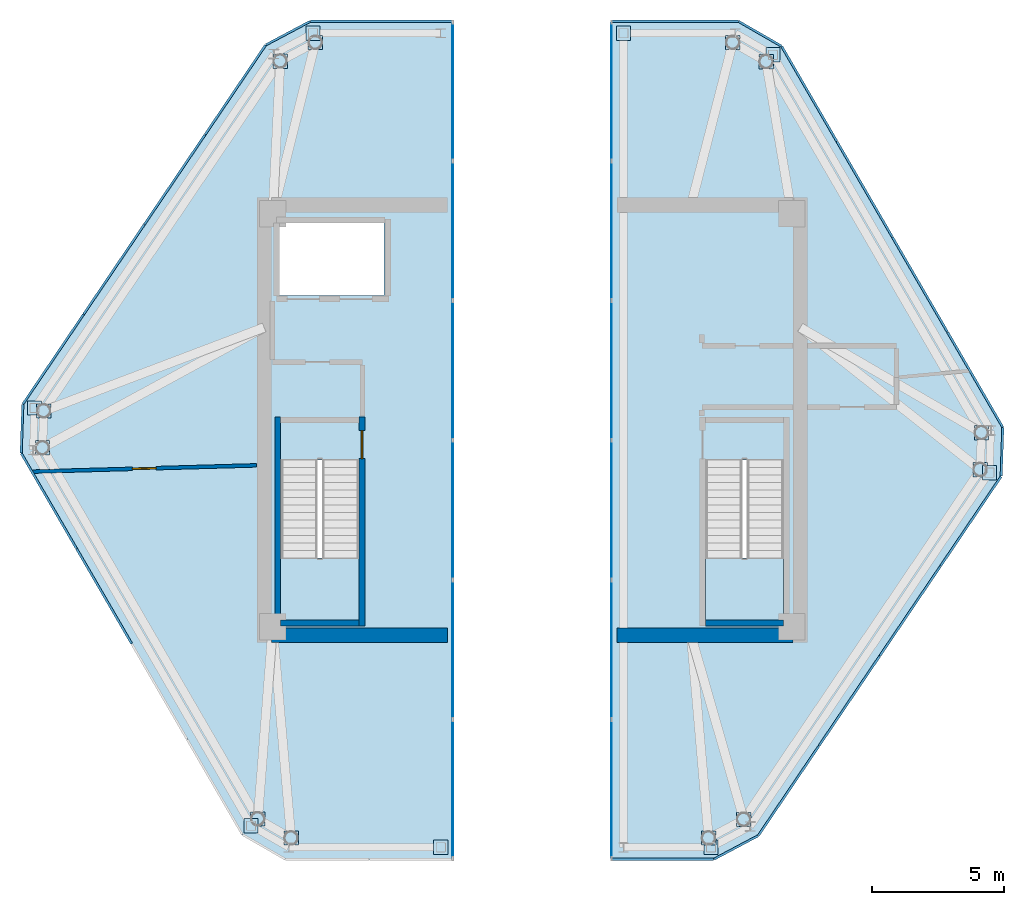
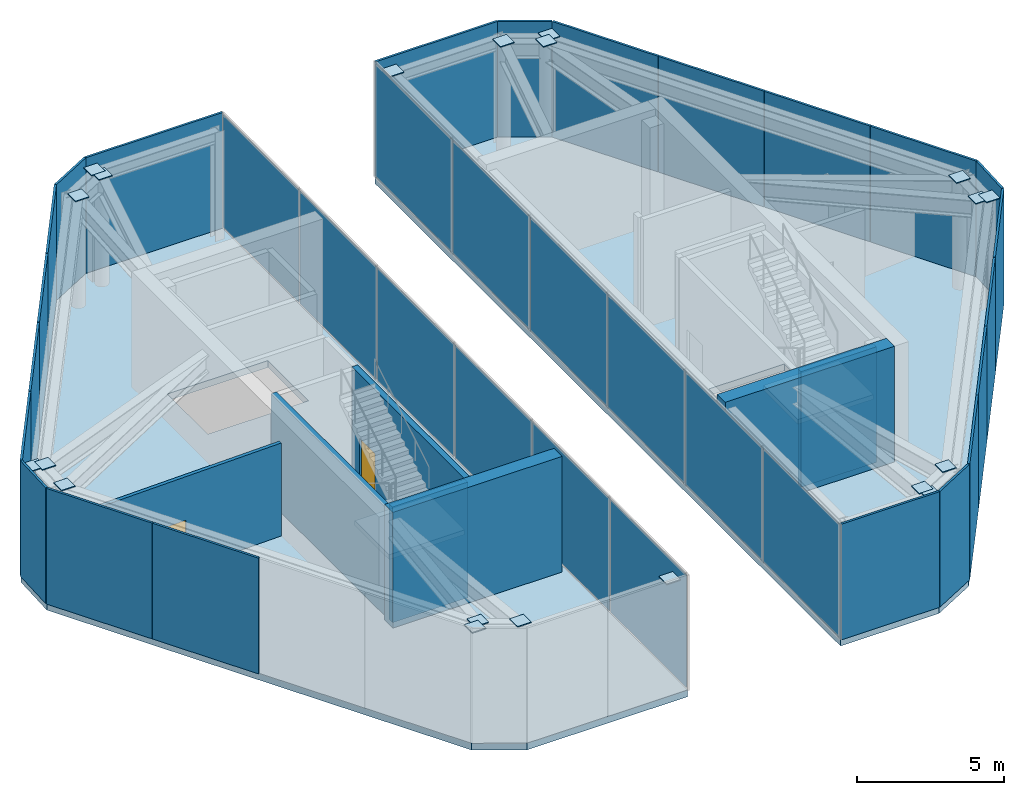
# One storey, part 6 of 8: 54 plates, 7 walls, 4 slabs, 2 doors, 2 openings, 4 elements without a shape of their own.
"""IFC4 building model written with IfcOpenShell, lengths in metres."""

from ifc_helpers import new_model, si_unit, direction, frame, frame_2d, origin, origin_2d, place, context, subcontext, project, spatial, polyline, rectangle, outline, extrude, source, transform, mapped, material, layer, layer_set, type_object, type_shapes, element, fill, aggregate, save


model = new_model("IFC4")

# Units and contexts
model_context = context("Model", 3, precision=1e-05, world=origin(), true_north=direction((0.0, 1.0)))
body_context = subcontext(model_context, "Body", "Model", "MODEL_VIEW")
ifc_project = project(units=[si_unit("LENGTHUNIT", "METRE"), si_unit("AREAUNIT", "SQUARE_METRE"), si_unit("VOLUMEUNIT", "CUBIC_METRE"), si_unit("PLANEANGLEUNIT", "RADIAN"), si_unit("MASSUNIT", "GRAM", prefix="KILO")], contexts=[model_context])

# Site, building, storey
site_placement = place(None, origin())
site = spatial("IfcSite", under=ifc_project, at=site_placement, CompositionType="ELEMENT")
building_placement = place(site_placement, origin())
building = spatial("IfcBuilding", under=site, at=building_placement, Name="Durnholm Broadcast Tower", CompositionType="ELEMENT")
storey_placement = place(building_placement, frame((0.0, 0.0, 277.300048828125)))
storey = spatial("IfcBuildingStorey", under=building, at=storey_placement, Name="L77", CompositionType="ELEMENT", Elevation=277.300048828125)

# Slabs
ifc_material_1 = material(Name="Concrete C50/60", Category="concrete")
ifc_layer_1 = layer(ifc_material_1, 0.280029296875)
ifc_layer_set_1 = layer_set([ifc_layer_1], Name="Concrete C50/60")
slab_type_1 = type_object("IfcSlabType", Name="SLAB-FLR-280", PredefinedType="FLOOR", material=ifc_layer_set_1)
slab_1_placement = place(storey_placement, frame((0.0, 0.0, -0.280029296875)))
element("IfcSlab", 1, at=slab_1_placement, inside=storey, type_object=slab_type_1, Name="L77 west split-crown plant floor slab", PredefinedType="FLOOR", context=body_context, shape_type="SweptSolid", body=[
    extrude(outline(polyline([(-10.946044921875, -15.648193359375), (-9.317626953125, -16.5859375), (-3.0, -16.5859375), (-3.0, 15.06201171875), (-8.386962890625, 15.06201171875), (-10.06591796875, 14.17041015625), (-19.238037109375, 0.603271484375), (-19.3017578125, -1.25048828125), (-10.946044921875, -15.648193359375)]), holes=[polyline([(-9.5, -1.5), (-9.5, -7.550048828125), (-6.5400390625, -7.550048828125), (-6.5400390625, -1.5), (-9.5, -1.5)]), polyline([(-9.550048828125, 7.449951171875), (-9.550048828125, 4.699951171875), (-5.60009765625, 4.699951171875), (-5.60009765625, 7.449951171875), (-9.550048828125, 7.449951171875)])]), origin(), (0.0, 0.0, 1.0), 0.280029296875),
])
slab_2_placement = place(storey_placement, frame((0.0, 0.0, -0.280029296875)))
element("IfcSlab", 2, at=slab_2_placement, inside=storey, type_object=slab_type_1, Name="L77 east split-crown plant floor slab", PredefinedType="FLOOR", context=body_context, shape_type="SweptSolid", body=[
    extrude(outline(polyline([(3.0, 15.06201171875), (3.0, -16.5859375), (6.863037109375, -16.5859375), (8.5419921875, -15.6943359375), (17.714111328125, -2.127197265625), (17.777587890625, -0.273681640625), (9.422119140625, 14.124267578125), (7.793701171875, 15.06201171875), (3.0, 15.06201171875)]), holes=[polyline([(9.5, -1.5), (6.5400390625, -1.5), (6.5400390625, -7.550048828125), (9.5, -7.550048828125), (9.5, -1.5)])]), origin(), (0.0, 0.0, 1.0), 0.280029296875),
])

# Stair, slab
stair_type = type_object("IfcStairType", Name="STAIR-DL-28R1714", PredefinedType="HALF_TURN_STAIR", material=ifc_material_1)
stair_1_placement = place(storey_placement, origin())
stair_1 = element("IfcStair", 3, at=stair_1_placement, inside=storey, type_object=stair_type, Name="L77 ST-1", PredefinedType="HALF_TURN_STAIR")
ifc_layer_2 = layer(ifc_material_1, 0.199951171875)
ifc_layer_set_2 = layer_set([ifc_layer_2], Name="Concrete C50/60")
slab_type_2 = type_object("IfcSlabType", Name="SLAB-LND-200", PredefinedType="LANDING", material=ifc_layer_set_2)
slab_3_placement = place(storey_placement, frame((0.0, 0.0, 2.199951171875)))
slab_3 = element("IfcSlab", 4, at=slab_3_placement, type_object=slab_type_2, Name="ST-1 landing 1", PredefinedType="LANDING", context=body_context, shape_type="SweptSolid", body=[
    extrude(outline(polyline([(-9.5, -5.205078125), (-9.5, -7.550048828125), (-6.5400390625, -7.550048828125), (-6.5400390625, -5.205078125), (-9.5, -5.205078125)])), origin(), (0.0, 0.0, 1.0), 0.199951171875),
])
aggregate(stair_1, [slab_3])

stair_2_placement = place(storey_placement, origin())
stair_2 = element("IfcStair", 5, at=stair_2_placement, inside=storey, type_object=stair_type, Name="L77 ST-2", PredefinedType="HALF_TURN_STAIR")
slab_4_placement = place(storey_placement, frame((0.0, 0.0, 2.199951171875)))
slab_4 = element("IfcSlab", 6, at=slab_4_placement, type_object=slab_type_2, Name="ST-2 landing 1", PredefinedType="LANDING", context=body_context, shape_type="SweptSolid", body=[
    extrude(outline(polyline([(6.5400390625, -5.205078125), (6.5400390625, -7.550048828125), (9.5, -7.550048828125), (9.5, -5.205078125), (6.5400390625, -5.205078125)])), origin(), (0.0, 0.0, 1.0), 0.199951171875),
])
aggregate(stair_2, [slab_4])

# Plates
ifc_material_2 = material(Name="Steel ASTM A572 Grade 50", Category="steel")
ifc_layer_3 = layer(ifc_material_2, 0.0400390625)
ifc_layer_set_3 = layer_set([ifc_layer_3], Name="Steel ASTM A572 Grade 50")
plate_type_1 = type_object("IfcPlateType", Name="PLT-KN-CAP", PredefinedType="USERDEFINED", material=ifc_layer_set_3)
shared_shape_1 = source(origin(), body_context, "Body", "SweptSolid", [
    extrude(rectangle(XDim=0.5400390625, YDim=0.5400390625, at=origin_2d()), origin(), (0.0, 0.0, 1.0), 0.0400390625),
])
type_shapes(plate_type_1, [shared_shape_1])
for number, where, z_axis, x_axis, name in (
    (7, (-10.361328125, -15.061767578125, 4.5), (0.0, 0.0, 1.0), (1.0, 0.0, 0.0), "L77 hollow section end cap plate COL-TUBE-L77-01 2"),
    (8, (-18.494384765625, -1.0478515625, 4.5), (0.0, 0.0, 1.0), (1.0, 0.0, 0.0), "L77 hollow section end cap plate COL-TUBE-L77-02 2"),
    (9, (-18.4462890625, 0.345947265625, 4.5), (0.0, 0.0, 1.0), (1.0, 0.0, 0.0), "L77 hollow section end cap plate COL-TUBE-L77-03 2"),
    (10, (-9.514892578125, 13.557373046875, 4.5), (0.0, 0.0, 1.0), (1.0, 0.0, 0.0), "L77 hollow section end cap plate COL-TUBE-L77-04 2"),
    (11, (-8.187744140625, 14.261962890625, 4.5), (0.0, 0.0, 1.0), (1.0, 0.0, 0.0), "L77 hollow section end cap plate COL-TUBE-L77-05 2"),
    (12, (7.57958984375, 14.261962890625, 4.5), (0.0, 0.0, 1.0), (1.0, 0.0, 0.0), "L77 hollow section end cap plate COL-TUBE-L77-06 2"),
    (13, (8.83740234375, 13.53759765625, 4.5), (0.0, 0.0, 1.0), (1.0, 0.0, 0.0), "L77 hollow section end cap plate COL-TUBE-L77-07 2"),
    (14, (16.97021484375, -0.47607421875, 4.5), (0.0, 0.0, 1.0), (1.0, 0.0, 0.0), "L77 hollow section end cap plate COL-TUBE-L77-08 2"),
    (15, (16.92236328125, -1.869873046875, 4.5), (0.0, 0.0, 1.0), (1.0, 0.0, 0.0), "L77 hollow section end cap plate COL-TUBE-L77-09 2"),
    (16, (7.990966796875, -15.081298828125, 4.5), (0.0, 0.0, 1.0), (1.0, 0.0, 0.0), "L77 hollow section end cap plate COL-TUBE-L77-10 2"),
    (17, (6.663818359375, -15.785888671875, 4.5), (0.0, 0.0, 1.0), (1.0, 0.0, 0.0), "L77 hollow section end cap plate COL-TUBE-L77-11 2"),
    (18, (-9.103759765625, -15.785888671875, 4.5), (0.0, 0.0, 1.0), (1.0, 0.0, 0.0), "L77 hollow section end cap plate COL-TUBE-L77-12 2"),
    (19, (-10.6171875, -15.318359375, 4.5), (0.0, 0.0, 1.0), (1.0, 0.0, 0.0), "L77 hollow section end cap plate CF-POST-L77-W-1 2"),
    (20, (-3.449951171875, -16.135986328125, 4.5), (0.0, 0.0, 1.0), (1.0, 0.0, 0.0), "L77 hollow section end cap plate CF-POST-L77-W-3 2"),
    (21, (-8.27490234375, 14.612060546875, 4.5), (0.0, 0.0, 1.0), (1.0, 0.0, 0.0), "L77 hollow section end cap plate CF-POST-L77-W-5 2"),
    (22, (-18.792724609375, 0.45849609375, 4.5), (0.0, 0.0, 1.0), (1.0, 0.0, 0.0), "L77 hollow section end cap plate CF-POST-L77-W-7 2"),
    (23, (3.449951171875, 14.612060546875, 4.5), (0.0, 0.0, 1.0), (1.0, 0.0, 0.0), "L77 hollow section end cap plate CF-POST-L77-E-1 2"),
    (24, (6.7509765625, -16.135986328125, 4.5), (0.0, 0.0, 1.0), (1.0, 0.0, 0.0), "L77 hollow section end cap plate CF-POST-L77-E-3 2"),
    (25, (17.268798828125, -1.982421875, 4.5), (0.0, 0.0, 1.0), (1.0, 0.0, 0.0), "L77 hollow section end cap plate CF-POST-L77-E-5 2"),
    (26, (9.09326171875, 13.794189453125, 4.5), (0.0, 0.0, 1.0), (1.0, 0.0, 0.0), "L77 hollow section end cap plate CF-POST-L77-E-7 2"),
):
    element("IfcPlate", number, at=place(storey_placement, frame(where, z_axis=z_axis, x_axis=x_axis)), inside=storey, type_object=plate_type_1, Name=name, ObjectType="CAP_PLATE", PredefinedType="USERDEFINED", context=body_context, shape_type="MappedRepresentation", body=[
        mapped(shared_shape_1, transform((0.0, 0.0, 0.0), x_axis=(1.0, 0.0, 0.0), y_axis=(0.0, 1.0, 0.0), z_axis=(0.0, 0.0, 1.0), scale=1.0)),
    ])
ifc_material_3 = material(Name="Anodised Architectural Aluminium Louvre Screen", Category="aluminium")
ifc_layer_4 = layer(ifc_material_3, 0.0849609375)
ifc_layer_set_4 = layer_set([ifc_layer_4], Name="Anodised Architectural Aluminium Louvre Screen")
plate_type_2 = type_object("IfcPlateType", Name="PLT-CROWN-SCR", PredefinedType="USERDEFINED", material=ifc_layer_set_4)
shared_shape_2 = source(origin(), body_context, "Body", "SweptSolid", [
    extrude(rectangle(XDim=1.834716796875, YDim=0.0849609375, at=origin_2d()), origin(), (0.0, 0.0, 1.0), 4.800048828125),
])
for number, where, z_axis, x_axis, name in (
    (27, (-19.27001953125, -0.323486328125, 0.0), (0.0, 0.0, 1.0), (0.034376212129, 0.999408963358, 0.0), "L77 mechanical louvre screen panel SCR-L77-W-1.1"),
    (28, (17.745849609375, -1.200439453125, 0.0), (0.0, 0.0, 1.0), (-0.034376212129, -0.999408963358, 0.0), "L77 mechanical louvre screen panel SCR-L77-E-3.1"),
):
    element("IfcPlate", number, at=place(storey_placement, frame(where, z_axis=z_axis, x_axis=x_axis)), inside=storey, type_object=plate_type_2, Name=name, ObjectType="SCREEN", PredefinedType="USERDEFINED", context=body_context, shape_type="MappedRepresentation", body=[
        mapped(shared_shape_2, transform((0.0, 0.0, 0.0), x_axis=(1.0, 0.0, 0.0), y_axis=(0.0, 1.0, 0.0), z_axis=(0.0, 0.0, 1.0), scale=1.0)),
    ])
shared_shape_3 = source(origin(), body_context, "Body", "SweptSolid", [
    extrude(rectangle(XDim=4.07421875, YDim=0.0849609375, at=origin_2d()), origin(), (0.0, 0.0, 1.0), 4.800048828125),
])
for number, where, z_axis, x_axis, name in (
    (29, (-18.091552734375, 2.29931640625, 0.0), (0.0, 0.0, 1.0), (0.560060762816, 0.828451532652, 0.0), "L77 mechanical louvre screen panel SCR-L77-W-2.1"),
    (30, (-15.798583984375, 5.69091796875, 0.0), (0.0, 0.0, 1.0), (0.560060762816, 0.828451532652, 0.0), "L77 mechanical louvre screen panel SCR-L77-W-2.2"),
    (31, (-13.505615234375, 9.082763671875, 0.0), (0.0, 0.0, 1.0), (0.560060762816, 0.828451532652, 0.0), "L77 mechanical louvre screen panel SCR-L77-W-2.3"),
    (32, (-11.21240234375, 12.474609375, 0.0), (0.0, 0.0, 1.0), (0.560060762816, 0.828451532652, 0.0), "L77 mechanical louvre screen panel SCR-L77-W-2.4"),
    (33, (16.567626953125, -3.8232421875, 0.0), (0.0, 0.0, 1.0), (-0.560060762816, -0.828451532652, 0.0), "L77 mechanical louvre screen panel SCR-L77-E-4.1"),
    (34, (14.274658203125, -7.215087890625, 0.0), (0.0, 0.0, 1.0), (-0.560060762816, -0.828451532652, 0.0), "L77 mechanical louvre screen panel SCR-L77-E-4.2"),
    (35, (11.9814453125, -10.606689453125, 0.0), (0.0, 0.0, 1.0), (-0.560060762816, -0.828451532652, 0.0), "L77 mechanical louvre screen panel SCR-L77-E-4.3"),
    (36, (9.6884765625, -13.99853515625, 0.0), (0.0, 0.0, 1.0), (-0.560060762816, -0.828451532652, 0.0), "L77 mechanical louvre screen panel SCR-L77-E-4.4"),
):
    element("IfcPlate", number, at=place(storey_placement, frame(where, z_axis=z_axis, x_axis=x_axis)), inside=storey, type_object=plate_type_2, Name=name, ObjectType="SCREEN", PredefinedType="USERDEFINED", context=body_context, shape_type="MappedRepresentation", body=[
        mapped(shared_shape_3, transform((0.0, 0.0, 0.0), x_axis=(1.0, 0.0, 0.0), y_axis=(0.0, 1.0, 0.0), z_axis=(0.0, 0.0, 1.0), scale=1.0)),
    ])
shared_shape_4 = source(origin(), body_context, "Body", "SweptSolid", [
    extrude(rectangle(XDim=1.881103515625, YDim=0.0849609375, at=origin_2d()), origin(), (0.0, 0.0, 1.0), 4.800048828125),
])
for number, where, z_axis, x_axis, name in (
    (37, (-9.2265625, 14.6162109375, 0.0), (0.0, 0.0, 1.0), (0.883193286551, 0.469009188174, 0.0), "L77 mechanical louvre screen panel SCR-L77-W-3.1"),
    (38, (7.702392578125, -16.14013671875, 0.0), (0.0, 0.0, 1.0), (-0.883193286551, -0.469009188174, 0.0), "L77 mechanical louvre screen panel SCR-L77-E-5.1"),
):
    element("IfcPlate", number, at=place(storey_placement, frame(where, z_axis=z_axis, x_axis=x_axis)), inside=storey, type_object=plate_type_2, Name=name, ObjectType="SCREEN", PredefinedType="USERDEFINED", context=body_context, shape_type="MappedRepresentation", body=[
        mapped(shared_shape_4, transform((0.0, 0.0, 0.0), x_axis=(1.0, 0.0, 0.0), y_axis=(0.0, 1.0, 0.0), z_axis=(0.0, 0.0, 1.0), scale=1.0)),
    ])
shared_shape_5 = source(origin(), body_context, "Body", "SweptSolid", [
    extrude(rectangle(XDim=5.366943359375, YDim=0.0849609375, at=origin_2d()), origin(), (0.0, 0.0, 1.0), 4.800048828125),
])
plate_1_placement = place(storey_placement, frame((-5.693603515625, 15.06201171875, 0.0), z_axis=(0.0, 0.0, 1.0), x_axis=(1.0, 0.0, 0.0)))
element("IfcPlate", 39, at=plate_1_placement, inside=storey, type_object=plate_type_2, Name="L77 mechanical louvre screen panel SCR-L77-W-4.1", ObjectType="SCREEN", PredefinedType="USERDEFINED", context=body_context, shape_type="MappedRepresentation", body=[
    mapped(shared_shape_5, transform((0.0, 0.0, 0.0), x_axis=(1.0, 0.0, 0.0), y_axis=(0.0, 1.0, 0.0), z_axis=(0.0, 0.0, 1.0), scale=1.0)),
])
shared_shape_6 = source(origin(), body_context, "Body", "SweptSolid", [
    extrude(rectangle(XDim=1.859130859375, YDim=0.0849609375, at=origin_2d()), origin(), (0.0, 0.0, 1.0), 4.800048828125),
])
plate_2_placement = place(storey_placement, frame((8.60791015625, 14.593017578125, 0.0), z_axis=(0.0, 0.0, 1.0), x_axis=(0.866548527613, -0.499092826328, 0.0)))
element("IfcPlate", 40, at=plate_2_placement, inside=storey, type_object=plate_type_2, Name="L77 mechanical louvre screen panel SCR-L77-E-1.1", ObjectType="SCREEN", PredefinedType="USERDEFINED", context=body_context, shape_type="MappedRepresentation", body=[
    mapped(shared_shape_6, transform((0.0, 0.0, 0.0), x_axis=(1.0, 0.0, 0.0), y_axis=(0.0, 1.0, 0.0), z_axis=(0.0, 0.0, 1.0), scale=1.0)),
])
shared_shape_7 = source(origin(), body_context, "Body", "SweptSolid", [
    extrude(rectangle(XDim=4.1416015625, YDim=0.0849609375, at=origin_2d()), origin(), (0.0, 0.0, 1.0), 4.800048828125),
])
for number, where, z_axis, x_axis, name in (
    (41, (-16.168212890625, -6.649658203125, 0.0), (0.0, 0.0, 1.0), (-0.501963660617, 0.864888711581, 0.0), "L77 mechanical louvre screen panel SCR-L77-W-8.3"),
    (42, (-18.257080078125, -3.050048828125, 0.0), (0.0, 0.0, 1.0), (-0.501963660617, 0.864888711581, 0.0), "L77 mechanical louvre screen panel SCR-L77-W-8.4"),
    (43, (10.466552734375, 12.324462890625, 0.0), (0.0, 0.0, 1.0), (0.501963660617, -0.864888711581, 0.0), "L77 mechanical louvre screen panel SCR-L77-E-2.1"),
    (44, (12.555419921875, 8.72509765625, 0.0), (0.0, 0.0, 1.0), (0.501963660617, -0.864888711581, 0.0), "L77 mechanical louvre screen panel SCR-L77-E-2.2"),
    (45, (14.644287109375, 5.12548828125, 0.0), (0.0, 0.0, 1.0), (0.501963660617, -0.864888711581, 0.0), "L77 mechanical louvre screen panel SCR-L77-E-2.3"),
    (46, (16.733154296875, 1.526123046875, 0.0), (0.0, 0.0, 1.0), (0.501963660617, -0.864888711581, 0.0), "L77 mechanical louvre screen panel SCR-L77-E-2.4"),
):
    element("IfcPlate", number, at=place(storey_placement, frame(where, z_axis=z_axis, x_axis=x_axis)), inside=storey, type_object=plate_type_2, Name=name, ObjectType="SCREEN", PredefinedType="USERDEFINED", context=body_context, shape_type="MappedRepresentation", body=[
        mapped(shared_shape_7, transform((0.0, 0.0, 0.0), x_axis=(1.0, 0.0, 0.0), y_axis=(0.0, 1.0, 0.0), z_axis=(0.0, 0.0, 1.0), scale=1.0)),
    ])
shared_shape_8 = source(origin(), body_context, "Body", "SweptSolid", [
    extrude(rectangle(XDim=3.843017578125, YDim=0.0849609375, at=origin_2d()), origin(), (0.0, 0.0, 1.0), 4.800048828125),
])
plate_3_placement = place(storey_placement, frame((4.931396484375, -16.5859375, 0.0), z_axis=(0.0, 0.0, 1.0), x_axis=(-1.0, 0.0, 0.0)))
element("IfcPlate", 47, at=plate_3_placement, inside=storey, type_object=plate_type_2, Name="L77 mechanical louvre screen panel SCR-L77-E-6.1", ObjectType="SCREEN", PredefinedType="USERDEFINED", context=body_context, shape_type="MappedRepresentation", body=[
    mapped(shared_shape_8, transform((0.0, 0.0, 0.0), x_axis=(1.0, 0.0, 0.0), y_axis=(0.0, 1.0, 0.0), z_axis=(0.0, 0.0, 1.0), scale=1.0)),
])
shared_shape_9 = source(origin(), body_context, "Body", "SweptSolid", [
    extrude(rectangle(XDim=4.773681640625, YDim=0.0849609375, at=origin_2d()), origin(), (0.0, 0.0, 1.0), 4.800048828125),
])
type_shapes(plate_type_2, [shared_shape_2, shared_shape_3, shared_shape_4, shared_shape_5, shared_shape_6, shared_shape_7, shared_shape_8, shared_shape_9])
plate_4_placement = place(storey_placement, frame((5.396728515625, 15.06201171875, 0.0), z_axis=(0.0, 0.0, 1.0), x_axis=(1.0, 0.0, 0.0)))
element("IfcPlate", 48, at=plate_4_placement, inside=storey, type_object=plate_type_2, Name="L77 mechanical louvre screen panel SCR-L77-E-8.1", ObjectType="SCREEN", PredefinedType="USERDEFINED", context=body_context, shape_type="MappedRepresentation", body=[
    mapped(shared_shape_9, transform((0.0, 0.0, 0.0), x_axis=(1.0, 0.0, 0.0), y_axis=(0.0, 1.0, 0.0), z_axis=(0.0, 0.0, 1.0), scale=1.0)),
])

# Curtain wall, plates
ifc_material_4 = material(Name="Aluminium and Solar Control IGU", Category="aluminium")
ifc_layer_5 = layer(ifc_material_4, 0.1650390625)
ifc_layer_set_5 = layer_set([ifc_layer_5], Name="Aluminium and Solar Control IGU")
curtain_wall_type = type_object("IfcCurtainWallType", Name="CW-SYS-7", PredefinedType="NOTDEFINED", material=ifc_layer_set_5)
curtain_wall_1_placement = place(storey_placement, origin())
curtain_wall_1 = element("IfcCurtainWall", 49, at=curtain_wall_1_placement, inside=storey, type_object=curtain_wall_type, Name="L77 curtain wall CW-CROWN CW-L77-W-5", PredefinedType="NOTDEFINED")
ifc_material_5 = material(Name="Low-E Laminated Insulating Glass", Category="glass")
ifc_layer_6 = layer(ifc_material_5, 0.028076171875)
ifc_layer_set_6 = layer_set([ifc_layer_6], Name="Low-E Laminated Insulating Glass")
plate_type_3 = type_object("IfcPlateType", Name="CW-SYS-7-PNL", PredefinedType="CURTAIN_PANEL", material=ifc_layer_set_6)
shared_shape_10 = source(origin(), body_context, "Body", "SweptSolid", [
    extrude(rectangle(XDim=5.17724609375, YDim=0.028076171875, at=origin_2d()), origin(), (0.0, 0.0, 1.0), 4.669921875),
])
plate_5_placement = place(storey_placement, frame((-3.0, 12.408447265625, 0.06494140625), z_axis=(0.0, 0.0, 1.0), x_axis=(0.0, -1.0, 0.0)))
plate_5 = element("IfcPlate", 50, at=plate_5_placement, type_object=plate_type_3, Name="CW-CROWN panel 1.1", PredefinedType="CURTAIN_PANEL", context=body_context, shape_type="MappedRepresentation", body=[
    mapped(shared_shape_10, transform((0.0, 0.0, 0.0), x_axis=(1.0, 0.0, 0.0), y_axis=(0.0, 1.0, 0.0), z_axis=(0.0, 0.0, 1.0), scale=1.0)),
])
plate_6_placement = place(storey_placement, frame((-3.0, -13.932373046875, 0.06494140625), z_axis=(0.0, 0.0, 1.0), x_axis=(0.0, -1.0, 0.0)))
plate_6 = element("IfcPlate", 51, at=plate_6_placement, type_object=plate_type_3, Name="CW-CROWN panel 6.1", PredefinedType="CURTAIN_PANEL", context=body_context, shape_type="MappedRepresentation", body=[
    mapped(shared_shape_10, transform((0.0, 0.0, 0.0), x_axis=(1.0, 0.0, 0.0), y_axis=(0.0, 1.0, 0.0), z_axis=(0.0, 0.0, 1.0), scale=1.0)),
])

curtain_wall_2_placement = place(storey_placement, origin())
curtain_wall_2 = element("IfcCurtainWall", 52, at=curtain_wall_2_placement, inside=storey, type_object=curtain_wall_type, Name="L77 curtain wall CW-CROWN CW-L77-E-7", PredefinedType="NOTDEFINED")
plate_7_placement = place(storey_placement, frame((3.0, -13.932373046875, 0.06494140625), z_axis=(0.0, 0.0, 1.0), x_axis=(0.0, 1.0, 0.0)))
plate_7 = element("IfcPlate", 53, at=plate_7_placement, type_object=plate_type_3, Name="CW-CROWN panel 1.1", PredefinedType="CURTAIN_PANEL", context=body_context, shape_type="MappedRepresentation", body=[
    mapped(shared_shape_10, transform((0.0, 0.0, 0.0), x_axis=(1.0, 0.0, 0.0), y_axis=(0.0, 1.0, 0.0), z_axis=(0.0, 0.0, 1.0), scale=1.0)),
])
plate_8_placement = place(storey_placement, frame((3.0, 12.408447265625, 0.06494140625), z_axis=(0.0, 0.0, 1.0), x_axis=(0.0, 1.0, 0.0)))
plate_8 = element("IfcPlate", 54, at=plate_8_placement, type_object=plate_type_3, Name="CW-CROWN panel 6.1", PredefinedType="CURTAIN_PANEL", context=body_context, shape_type="MappedRepresentation", body=[
    mapped(shared_shape_10, transform((0.0, 0.0, 0.0), x_axis=(1.0, 0.0, 0.0), y_axis=(0.0, 1.0, 0.0), z_axis=(0.0, 0.0, 1.0), scale=1.0)),
])

# Plate
shared_shape_11 = source(origin(), body_context, "Body", "SweptSolid", [
    extrude(rectangle(XDim=5.209716796875, YDim=0.028076171875, at=origin_2d()), origin(), (0.0, 0.0, 1.0), 4.669921875),
])
type_shapes(plate_type_3, [shared_shape_10, shared_shape_11])
plate_9_placement = place(storey_placement, frame((-3.0, 7.14990234375, 0.06494140625), z_axis=(0.0, 0.0, 1.0), x_axis=(0.0, -1.0, 0.0)))
plate_9 = element("IfcPlate", 55, at=plate_9_placement, type_object=plate_type_3, Name="CW-CROWN panel 2.1", PredefinedType="CURTAIN_PANEL", context=body_context, shape_type="MappedRepresentation", body=[
    mapped(shared_shape_11, transform((0.0, 0.0, 0.0), x_axis=(1.0, 0.0, 0.0), y_axis=(0.0, 1.0, 0.0), z_axis=(0.0, 0.0, 1.0), scale=1.0)),
])

plate_10_placement = place(storey_placement, frame((-3.0, 1.875244140625, 0.06494140625), z_axis=(0.0, 0.0, 1.0), x_axis=(0.0, -1.0, 0.0)))
plate_10 = element("IfcPlate", 56, at=plate_10_placement, type_object=plate_type_3, Name="CW-CROWN panel 3.1", PredefinedType="CURTAIN_PANEL", context=body_context, shape_type="MappedRepresentation", body=[
    mapped(shared_shape_11, transform((0.0, 0.0, 0.0), x_axis=(1.0, 0.0, 0.0), y_axis=(0.0, 1.0, 0.0), z_axis=(0.0, 0.0, 1.0), scale=1.0)),
])

plate_11_placement = place(storey_placement, frame((-3.0, -3.3994140625, 0.06494140625), z_axis=(0.0, 0.0, 1.0), x_axis=(0.0, -1.0, 0.0)))
plate_11 = element("IfcPlate", 57, at=plate_11_placement, type_object=plate_type_3, Name="CW-CROWN panel 4.1", PredefinedType="CURTAIN_PANEL", context=body_context, shape_type="MappedRepresentation", body=[
    mapped(shared_shape_11, transform((0.0, 0.0, 0.0), x_axis=(1.0, 0.0, 0.0), y_axis=(0.0, 1.0, 0.0), z_axis=(0.0, 0.0, 1.0), scale=1.0)),
])

plate_12_placement = place(storey_placement, frame((-3.0, -8.674072265625, 0.06494140625), z_axis=(0.0, 0.0, 1.0), x_axis=(0.0, -1.0, 0.0)))
plate_12 = element("IfcPlate", 58, at=plate_12_placement, type_object=plate_type_3, Name="CW-CROWN panel 5.1", PredefinedType="CURTAIN_PANEL", context=body_context, shape_type="MappedRepresentation", body=[
    mapped(shared_shape_11, transform((0.0, 0.0, 0.0), x_axis=(1.0, 0.0, 0.0), y_axis=(0.0, 1.0, 0.0), z_axis=(0.0, 0.0, 1.0), scale=1.0)),
])

aggregate(curtain_wall_1, [plate_5, plate_9, plate_10, plate_11, plate_12, plate_6])

plate_13_placement = place(storey_placement, frame((3.0, -8.674072265625, 0.06494140625), z_axis=(0.0, 0.0, 1.0), x_axis=(0.0, 1.0, 0.0)))
plate_13 = element("IfcPlate", 59, at=plate_13_placement, type_object=plate_type_3, Name="CW-CROWN panel 2.1", PredefinedType="CURTAIN_PANEL", context=body_context, shape_type="MappedRepresentation", body=[
    mapped(shared_shape_11, transform((0.0, 0.0, 0.0), x_axis=(1.0, 0.0, 0.0), y_axis=(0.0, 1.0, 0.0), z_axis=(0.0, 0.0, 1.0), scale=1.0)),
])

plate_14_placement = place(storey_placement, frame((3.0, -3.3994140625, 0.06494140625), z_axis=(0.0, 0.0, 1.0), x_axis=(0.0, 1.0, 0.0)))
plate_14 = element("IfcPlate", 60, at=plate_14_placement, type_object=plate_type_3, Name="CW-CROWN panel 3.1", PredefinedType="CURTAIN_PANEL", context=body_context, shape_type="MappedRepresentation", body=[
    mapped(shared_shape_11, transform((0.0, 0.0, 0.0), x_axis=(1.0, 0.0, 0.0), y_axis=(0.0, 1.0, 0.0), z_axis=(0.0, 0.0, 1.0), scale=1.0)),
])

plate_15_placement = place(storey_placement, frame((3.0, 1.875244140625, 0.06494140625), z_axis=(0.0, 0.0, 1.0), x_axis=(0.0, 1.0, 0.0)))
plate_15 = element("IfcPlate", 61, at=plate_15_placement, type_object=plate_type_3, Name="CW-CROWN panel 4.1", PredefinedType="CURTAIN_PANEL", context=body_context, shape_type="MappedRepresentation", body=[
    mapped(shared_shape_11, transform((0.0, 0.0, 0.0), x_axis=(1.0, 0.0, 0.0), y_axis=(0.0, 1.0, 0.0), z_axis=(0.0, 0.0, 1.0), scale=1.0)),
])

plate_16_placement = place(storey_placement, frame((3.0, 7.14990234375, 0.06494140625), z_axis=(0.0, 0.0, 1.0), x_axis=(0.0, 1.0, 0.0)))
plate_16 = element("IfcPlate", 62, at=plate_16_placement, type_object=plate_type_3, Name="CW-CROWN panel 5.1", PredefinedType="CURTAIN_PANEL", context=body_context, shape_type="MappedRepresentation", body=[
    mapped(shared_shape_11, transform((0.0, 0.0, 0.0), x_axis=(1.0, 0.0, 0.0), y_axis=(0.0, 1.0, 0.0), z_axis=(0.0, 0.0, 1.0), scale=1.0)),
])

aggregate(curtain_wall_2, [plate_7, plate_13, plate_14, plate_15, plate_16, plate_8])

# Walls
ifc_material_6 = material(Name="Concrete C70/85", Category="concrete")
ifc_layer_7 = layer(ifc_material_6, 0.550048828125)
ifc_layer_set_7 = layer_set([ifc_layer_7], Name="Concrete C70/85")
wall_type_1 = type_object("IfcWallType", Name="WALL-CW-550", PredefinedType="SHEAR", material=ifc_layer_set_7)
for number, where, z_axis, x_axis, name in (
    (63, (-9.85009765625, -8.125, 0.0), (0.0, 0.0, 1.0), (1.0, 0.0, 0.0), "L77 split-crown core shear wall WCW-SW"),
    (64, (3.199951171875, -8.125, 0.0), (0.0, 0.0, 1.0), (1.0, 0.0, 0.0), "L77 split-crown core shear wall WCW-SE"),
):
    element("IfcWall", number, at=place(storey_placement, frame(where, z_axis=z_axis, x_axis=x_axis)), inside=storey, type_object=wall_type_1, Name=name, PredefinedType="SHEAR", context=body_context, shape_type="SweptSolid", body=[
        extrude(rectangle(XDim=6.650146484375, YDim=0.550048828125, at=frame_2d((3.3251953125, 0.0))), origin(), (0.0, 0.0, 1.0), 4.800048828125),
    ])

# Wall, opening, door
ifc_material_7 = material(Name="Gypsum Metal Stud Partition", Category="concrete")
ifc_layer_8 = layer(ifc_material_7, 0.135009765625)
ifc_layer_set_8 = layer_set([ifc_layer_8], Name="Gypsum Metal Stud Partition")
wall_type_2 = type_object("IfcWallType", Name="WALL-PART-135", PredefinedType="PARTITIONING", material=ifc_layer_set_8)
wall_1_placement = place(storey_placement, frame((-10.405029296875, -1.7080078125, 0.0), z_axis=(0.0, 0.0, 1.0), x_axis=(-0.999607454952, -0.028016709362, 0.0)))
wall_1 = element("IfcWall", 65, at=wall_1_placement, inside=storey, type_object=wall_type_2, Name="L77 room dividing partition 1.2", PredefinedType="PARTITIONING", context=body_context, shape_type="SweptSolid", body=[
    extrude(rectangle(XDim=8.496337890625, YDim=0.135009765625, at=frame_2d((4.248046875, 0.0))), origin(), (0.0, 0.0, 1.0), 3.858642578125),
])
opening_1_placement = place(wall_1_placement, frame((3.798095703125, 0.0, 0.0)))
opening_1 = element("IfcOpeningElement", 66, at=opening_1_placement, cuts=wall_1, Name="Opening DW-90L", PredefinedType="OPENING", context=body_context, shape_type="SweptSolid", body=[
    extrude(rectangle(XDim=0.89990234375, YDim=2.050048828125, at=frame_2d((0.449951171875, 1.02490234375))), frame((0.0, 0.07763671875, 0.0), z_axis=(0.0, -1.0, 0.0), x_axis=(1.0, 0.0, 0.0)), (0.0, 0.0, 1.0), 0.155029296875),
])
ifc_material_8 = material(Name="Laminate Restroom Door", Category="steel")
ifc_layer_9 = layer(ifc_material_8, 0.050048828125)
ifc_layer_set_9 = layer_set([ifc_layer_9], Name="Laminate Restroom Door")
door_type_1 = type_object("IfcDoorType", Name="DOOR-WC-900L", OperationType="NOTDEFINED", PredefinedType="DOOR", material=ifc_layer_set_9)
shared_shape_12 = source(origin(), body_context, "Body", "SweptSolid", [
    extrude(rectangle(XDim=0.89990234375, YDim=2.050048828125, at=frame_2d((0.449951171875, 1.02490234375))), frame((0.0, 0.02490234375, 0.0), z_axis=(0.0, -1.0, 0.0), x_axis=(1.0, 0.0, 0.0)), (0.0, 0.0, 1.0), 0.050048828125),
])
type_shapes(door_type_1, [shared_shape_12])
door_1_placement = place(opening_1_placement, origin())
door_1 = element("IfcDoor", 67, at=door_1_placement, inside=storey, type_object=door_type_1, Name="L77 Crown Air Handling Fan Plant connecting door", OperationType="SINGLE_SWING_LEFT", OverallHeight=2.050048828125, OverallWidth=0.89990234375, PredefinedType="DOOR", context=body_context, shape_type="MappedRepresentation", body=[
    mapped(shared_shape_12, transform((0.0, 0.0, 0.0), x_axis=(1.0, 0.0, 0.0), y_axis=(0.0, 1.0, 0.0), z_axis=(0.0, 0.0, 1.0), scale=1.0)),
])
fill(opening_1, door_1)

ifc_layer_10 = layer(ifc_material_1, 0.219970703125)
ifc_layer_set_10 = layer_set([ifc_layer_10], Name="Concrete C50/60")
wall_type_3 = type_object("IfcWallType", Name="WALL-SW-220", PredefinedType="SHEAR", material=ifc_layer_set_10)
wall_2_placement = place(storey_placement, frame((-6.429931640625, -7.77001953125, -0.280029296875), z_axis=(0.0, 0.0, 1.0), x_axis=(0.0, 1.0, 0.0)))
wall_2 = element("IfcWall", 68, at=wall_2_placement, inside=storey, type_object=wall_type_3, Name="L77 stair ST-1 structural shaft wall E", PredefinedType="SHEAR", context=body_context, shape_type="SweptSolid", body=[
    extrude(rectangle(XDim=7.89013671875, YDim=0.219970703125, at=frame_2d((3.945068359375, 0.0))), origin(), (0.0, 0.0, 1.0), 4.800048828125),
])
opening_2_placement = place(wall_2_placement, frame((6.320068359375, 0.0, 0.0)))
opening_2 = element("IfcOpeningElement", 69, at=opening_2_placement, cuts=wall_2, Name="Opening DS-90L", PredefinedType="OPENING", context=body_context, shape_type="SweptSolid", body=[
    extrude(rectangle(XDim=1.050048828125, YDim=2.14990234375, at=frame_2d((0.52490234375, 1.074951171875))), frame((0.0, 0.1201171875, 0.0), z_axis=(0.0, -1.0, 0.0), x_axis=(1.0, 0.0, 0.0)), (0.0, 0.0, 1.0), 0.239990234375),
])
ifc_material_9 = material(Name="Fire-Rated Steel Door", Category="steel")
ifc_layer_11 = layer(ifc_material_9, 0.050048828125)
ifc_layer_set_11 = layer_set([ifc_layer_11], Name="Fire-Rated Steel Door")
door_type_2 = type_object("IfcDoorType", Name="DOOR-ST-FD90-L", OperationType="NOTDEFINED", PredefinedType="DOOR", material=ifc_layer_set_11)
shared_shape_13 = source(origin(), body_context, "Body", "SweptSolid", [
    extrude(rectangle(XDim=1.050048828125, YDim=2.14990234375, at=frame_2d((0.52490234375, 1.074951171875))), frame((0.0, 0.02490234375, 0.0), z_axis=(0.0, -1.0, 0.0), x_axis=(1.0, 0.0, 0.0)), (0.0, 0.0, 1.0), 0.050048828125),
])
type_shapes(door_type_2, [shared_shape_13])
door_2_placement = place(opening_2_placement, origin())
door_2 = element("IfcDoor", 70, at=door_2_placement, inside=storey, type_object=door_type_2, Name="L77 exit stair ST-1 fire door", OperationType="SINGLE_SWING_LEFT", OverallHeight=2.14990234375, OverallWidth=1.050048828125, PredefinedType="DOOR", context=body_context, shape_type="MappedRepresentation", body=[
    mapped(shared_shape_13, transform((0.0, 0.0, 0.0), x_axis=(1.0, 0.0, 0.0), y_axis=(0.0, 1.0, 0.0), z_axis=(0.0, 0.0, 1.0), scale=1.0)),
])
fill(opening_2, door_2)

# Walls
wall_3_placement = place(storey_placement, frame((-9.610107421875, 0.1201171875, -0.280029296875), z_axis=(0.0, 0.0, 1.0), x_axis=(0.0, -1.0, 0.0)))
element("IfcWall", 71, at=wall_3_placement, inside=storey, type_object=wall_type_3, Name="L77 stair ST-1 structural shaft wall W", PredefinedType="SHEAR", context=body_context, shape_type="SweptSolid", body=[
    extrude(rectangle(XDim=7.89013671875, YDim=0.219970703125, at=frame_2d((3.945068359375, 0.0))), origin(), (0.0, 0.0, 1.0), 4.800048828125),
])
for number, where, z_axis, x_axis, name in (
    (72, (-9.5, -7.659912109375, -0.280029296875), (0.0, 0.0, 1.0), (1.0, 0.0, 0.0), "L77 stair ST-1 structural shaft wall S"),
    (73, (6.5400390625, -7.659912109375, -0.280029296875), (0.0, 0.0, 1.0), (1.0, 0.0, 0.0), "L77 stair ST-2 structural shaft wall S"),
):
    element("IfcWall", number, at=place(storey_placement, frame(where, z_axis=z_axis, x_axis=x_axis)), inside=storey, type_object=wall_type_3, Name=name, PredefinedType="SHEAR", context=body_context, shape_type="SweptSolid", body=[
        extrude(rectangle(XDim=2.9599609375, YDim=0.219970703125, at=frame_2d((1.47998046875, 0.0))), origin(), (0.0, 0.0, 1.0), 4.800048828125),
    ])

save(model, "model.ifc")
